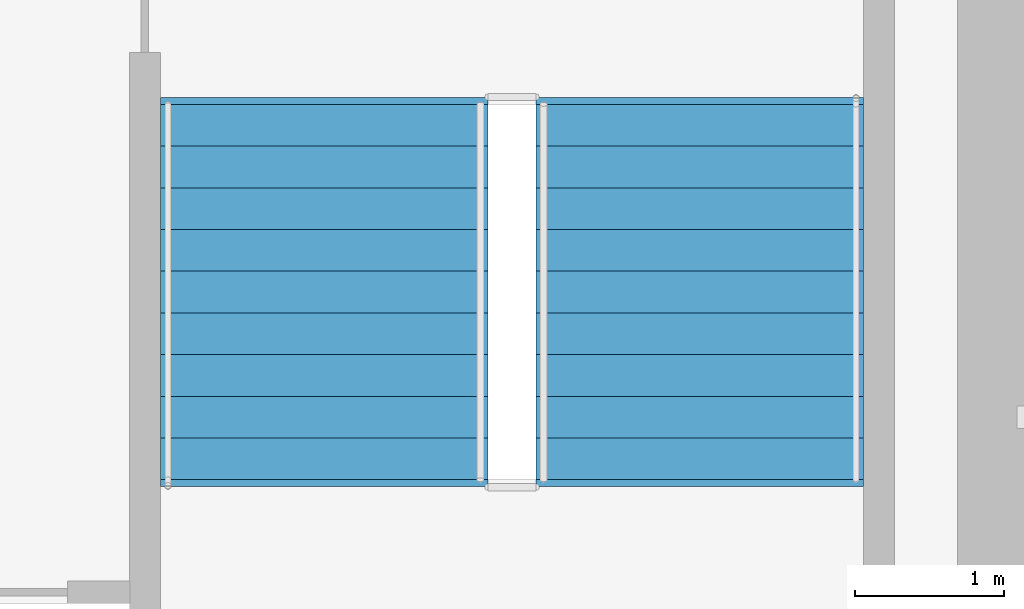
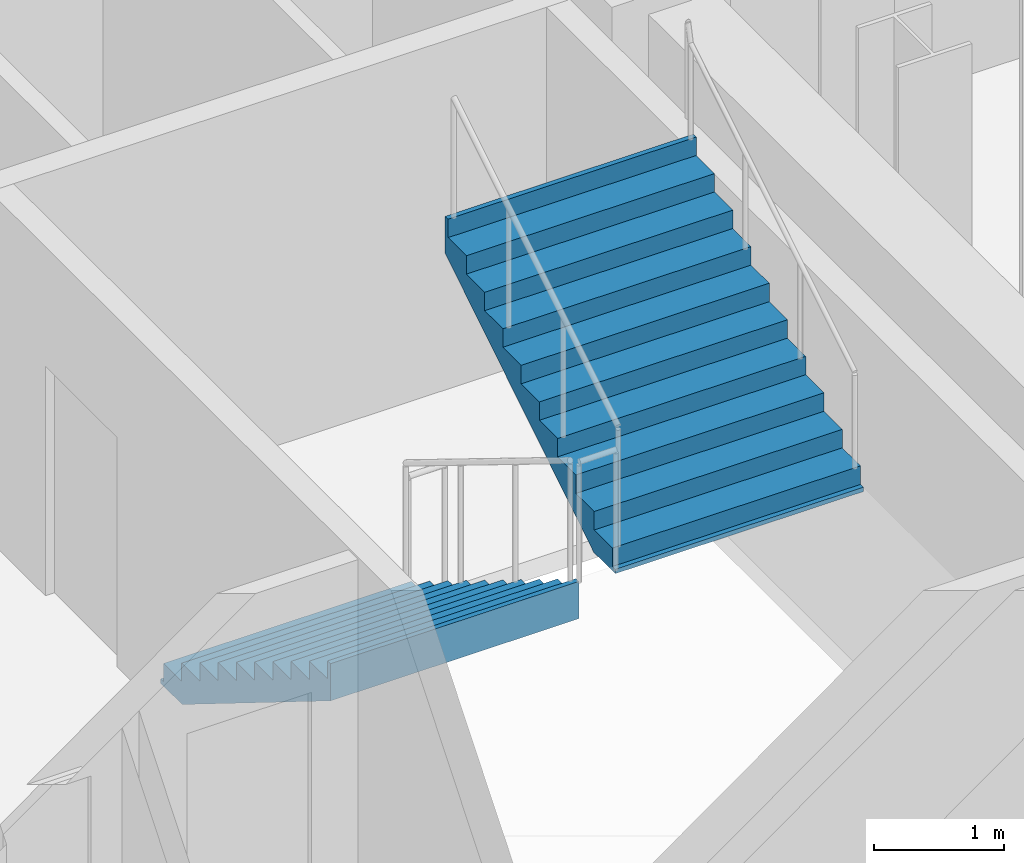
# One storey, part 8 of 10: 2 stair flights, 1 element without a shape of its own.
"""IFC4 building model written with IfcOpenShell, lengths in metres."""

from ifc_helpers import new_model, si_unit, direction, frame, origin, place, context, subcontext, project, spatial, polyline, outline, extrude, material, layer, layer_set, type_object, element, aggregate, save


model = new_model("IFC4")

# Units and contexts
model_context = context("Model", 3, precision=1e-05, world=origin(), true_north=direction((0.0, 1.0)))
body_context = subcontext(model_context, "Body", "Model", "MODEL_VIEW")
ifc_project = project(units=[si_unit("LENGTHUNIT", "METRE"), si_unit("AREAUNIT", "SQUARE_METRE"), si_unit("VOLUMEUNIT", "CUBIC_METRE"), si_unit("PLANEANGLEUNIT", "RADIAN"), si_unit("MASSUNIT", "GRAM", prefix="KILO")], contexts=[model_context])

# Site, building, storey
site_placement = place(None, origin())
site = spatial("IfcSite", under=ifc_project, at=site_placement, CompositionType="ELEMENT")
building_placement = place(site_placement, origin())
building = spatial("IfcBuilding", under=site, at=building_placement, Name="Velakula Bourse", CompositionType="ELEMENT")
storey_placement = place(building_placement, frame((0.0, 0.0, 141.550048828125)))
storey = spatial("IfcBuildingStorey", under=building, at=storey_placement, Name="L38", CompositionType="ELEMENT", Elevation=141.550048828125)

# Stair, stair flights
ifc_material = material(Name="Concrete M45 (fck 45 MPa)", Category="concrete")
stair_type = type_object("IfcStairType", Name="STR-DOG-390", PredefinedType="HALF_TURN_STAIR", material=ifc_material)
stair_placement = place(storey_placement, origin())
stair = element("IfcStair", 1, at=stair_placement, inside=storey, type_object=stair_type, Name="L38 East Core Exit Stair ST-E1", PredefinedType="HALF_TURN_STAIR")
ifc_layer = layer(ifc_material, 0.195068359375, Name="Concrete M45 (fck 45 MPa)", Category="concrete")
ifc_layer_set = layer_set([ifc_layer], Name="Concrete M45 (fck 45 MPa)")
stair_flight_type = type_object("IfcStairFlightType", Name="FLT-DOG-390", PredefinedType="STRAIGHT", material=ifc_layer_set)
stair_flight_1_placement = place(storey_placement, frame((14.198974609375, -2.199951171875, 0.0), z_axis=(0.0, 0.0, 1.0), x_axis=(0.0, -1.0, 0.0)))
stair_flight_1 = element("IfcStairFlight", 2, at=stair_flight_1_placement, type_object=stair_flight_type, Name="ST-E1 flight 1", NumberOfRisers=10, NumberOfTreads=9, PredefinedType="STRAIGHT", RiserHeight=0.1725, TreadLength=0.28, context=body_context, shape_type="SweptSolid", body=[
    extrude(outline(polyline([(-0.044921875, -0.0400390625), (-0.044921875, -0.036865234375), (-0.044921875, -0.033935546875), (-0.044921875, -0.03076171875), (-0.044921875, -0.027587890625), (-0.044921875, -0.024658203125), (-0.044921875, -0.021484375), (-0.044921875, -0.0185546875), (-0.044921875, -0.015380859375), (-0.044921875, -0.01220703125), (-0.044921875, -0.00927734375), (-0.044921875, -0.006103515625), (-0.044921875, -0.003173828125), (-0.044921875, 0.0), (0.0, 0.0), (0.0, 0.172607421875), (0.280029296875, 0.172607421875), (0.280029296875, 0.344970703125), (0.56005859375, 0.344970703125), (0.56005859375, 0.517578125), (0.840087890625, 0.517578125), (0.840087890625, 0.68994140625), (1.1201171875, 0.68994140625), (1.1201171875, 0.862548828125), (1.39990234375, 0.862548828125), (1.39990234375, 1.034912109375), (1.679931640625, 1.034912109375), (1.679931640625, 1.20751953125), (1.9599609375, 1.20751953125), (1.9599609375, 1.3798828125), (2.239990234375, 1.3798828125), (2.239990234375, 1.552490234375), (2.52001953125, 1.552490234375), (2.52001953125, 1.72509765625), (2.56494140625, 1.72509765625), (2.56494140625, 1.7001953125), (2.56494140625, 1.67529296875), (2.56494140625, 1.650390625), (2.56494140625, 1.62548828125), (2.56494140625, 1.6005859375), (2.56494140625, 1.57568359375), (2.56494140625, 1.55078125), (2.56494140625, 1.52587890625), (2.56494140625, 1.5009765625), (2.56494140625, 1.47607421875), (2.56494140625, 1.451171875), (2.56494140625, 1.42626953125), (2.56494140625, 1.4013671875), (2.56494140625, 1.37646484375), (0.285888671875, -0.0400390625), (-0.044921875, -0.0400390625)])), frame((0.0, 1.09912109375, 0.0), z_axis=(0.0, -1.0, 0.0), x_axis=(1.0, 0.0, 0.0)), (0.0, 0.0, 1.0), 2.197998046875),
])
stair_flight_2_placement = place(storey_placement, frame((16.720947265625, -4.719970703125, 1.724853515625), z_axis=(0.0, 0.0, 1.0), x_axis=(0.0, 1.0, 0.0)))
stair_flight_2 = element("IfcStairFlight", 3, at=stair_flight_2_placement, type_object=stair_flight_type, Name="ST-E1 flight 2", NumberOfRisers=10, NumberOfTreads=9, PredefinedType="STRAIGHT", RiserHeight=0.1725, TreadLength=0.28, context=body_context, shape_type="SweptSolid", body=[
    extrude(outline(polyline([(-0.044921875, -0.0400390625), (-0.044921875, -0.036865234375), (-0.044921875, -0.033935546875), (-0.044921875, -0.03076171875), (-0.044921875, -0.027587890625), (-0.044921875, -0.024658203125), (-0.044921875, -0.021484375), (-0.044921875, -0.0185546875), (-0.044921875, -0.015380859375), (-0.044921875, -0.01220703125), (-0.044921875, -0.00927734375), (-0.044921875, -0.006103515625), (-0.044921875, -0.003173828125), (-0.044921875, 0.0), (0.0, 0.0), (0.0, 0.172607421875), (0.280029296875, 0.172607421875), (0.280029296875, 0.344970703125), (0.56005859375, 0.344970703125), (0.56005859375, 0.517578125), (0.840087890625, 0.517578125), (0.840087890625, 0.68994140625), (1.1201171875, 0.68994140625), (1.1201171875, 0.862548828125), (1.39990234375, 0.862548828125), (1.39990234375, 1.034912109375), (1.679931640625, 1.034912109375), (1.679931640625, 1.20751953125), (1.9599609375, 1.20751953125), (1.9599609375, 1.3798828125), (2.239990234375, 1.3798828125), (2.239990234375, 1.552490234375), (2.52001953125, 1.552490234375), (2.52001953125, 1.72509765625), (2.56494140625, 1.72509765625), (2.56494140625, 1.7001953125), (2.56494140625, 1.67529296875), (2.56494140625, 1.650390625), (2.56494140625, 1.62548828125), (2.56494140625, 1.6005859375), (2.56494140625, 1.57568359375), (2.56494140625, 1.55078125), (2.56494140625, 1.52587890625), (2.56494140625, 1.5009765625), (2.56494140625, 1.47607421875), (2.56494140625, 1.451171875), (2.56494140625, 1.42626953125), (2.56494140625, 1.4013671875), (2.56494140625, 1.37646484375), (0.285888671875, -0.0400390625), (-0.044921875, -0.0400390625)])), frame((0.0, 1.09912109375, 0.0), z_axis=(0.0, -1.0, 0.0), x_axis=(1.0, 0.0, 0.0)), (0.0, 0.0, 1.0), 2.197998046875),
])
aggregate(stair, [stair_flight_1, stair_flight_2])

save(model, "model.ifc")
